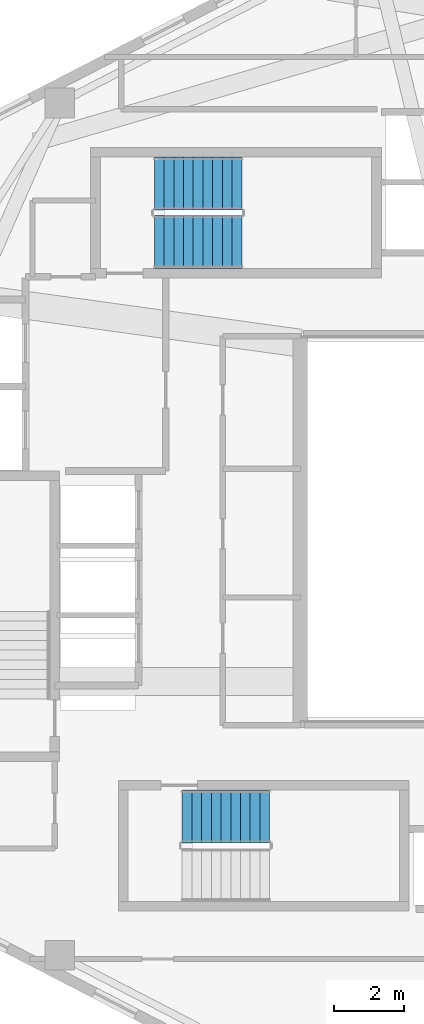
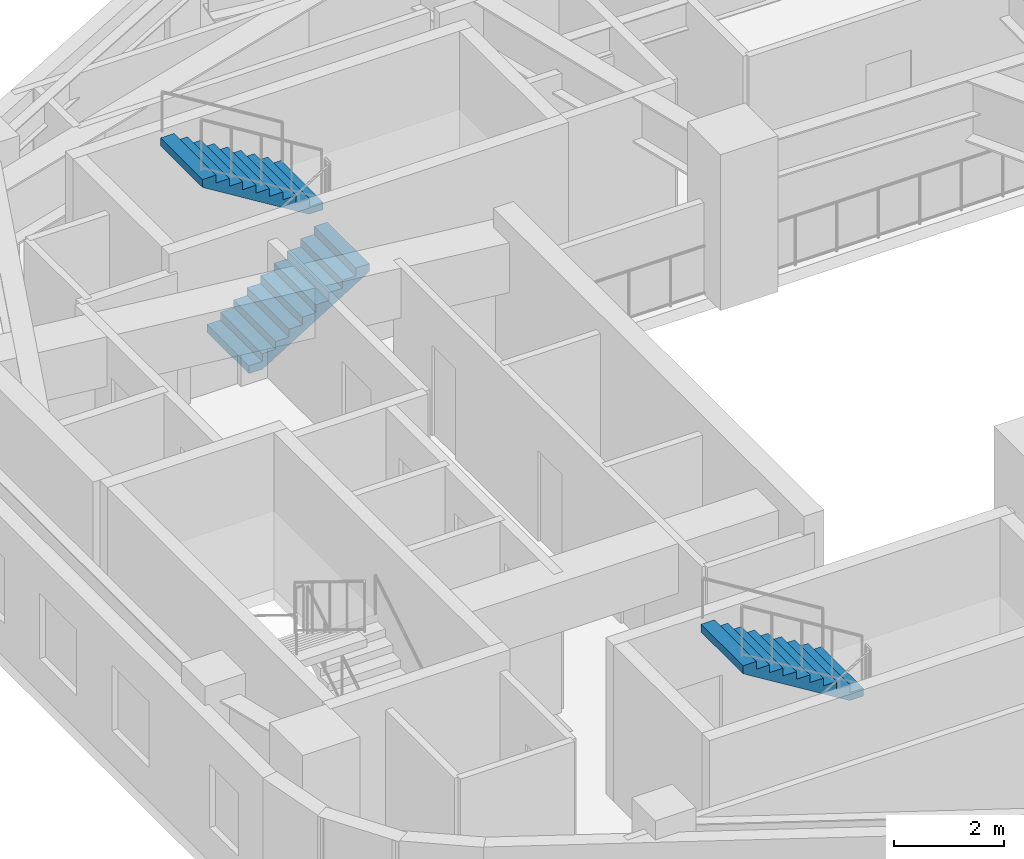
# One storey, part 6 of 7: 3 stair flights, 2 elements without a shape of their own.
"""IFC4 building model written with IfcOpenShell, lengths in metres."""

from ifc_helpers import new_model, si_unit, direction, frame, origin, place, context, subcontext, project, spatial, polyline, outline, extrude, material, type_object, element, aggregate, save


model = new_model("IFC4")

# Units and contexts
model_context = context("Model", 3, precision=1e-05, world=origin(), true_north=direction((0.0, 1.0)))
body_context = subcontext(model_context, "Body", "Model", "MODEL_VIEW")
ifc_project = project(units=[si_unit("LENGTHUNIT", "METRE"), si_unit("AREAUNIT", "SQUARE_METRE"), si_unit("VOLUMEUNIT", "CUBIC_METRE"), si_unit("PLANEANGLEUNIT", "RADIAN"), si_unit("MASSUNIT", "GRAM", prefix="KILO"), si_unit("THERMODYNAMICTEMPERATUREUNIT", "KELVIN"), si_unit("POWERUNIT", "WATT")], contexts=[model_context])

# Site, building, storey
site_placement = place(None, origin())
site = spatial("IfcSite", under=ifc_project, at=site_placement, CompositionType="ELEMENT")
building_placement = place(site_placement, origin())
building = spatial("IfcBuilding", under=site, at=building_placement, Name="Skarre Station Tower", CompositionType="ELEMENT")
storey_placement = place(building_placement, frame((0.0, 0.0, 217.14990234375)))
storey = spatial("IfcBuildingStorey", under=building, at=storey_placement, Name="L59", CompositionType="ELEMENT", Elevation=217.14990234375)

# Stair, stair flight
ifc_material = material(Name="Concrete C40/50", Category="concrete")
stair_type_1 = type_object("IfcStairType", Name="Reinforced Concrete Exit Stair ST-2", PredefinedType="HALF_TURN_STAIR", material=ifc_material)
stair_1_placement = place(storey_placement, origin())
stair_1 = element("IfcStair", 1, at=stair_1_placement, inside=storey, type_object=stair_type_1, Name="L59 Core Exit Stair ST-2", PredefinedType="HALF_TURN_STAIR")
stair_flight_type_1 = type_object("IfcStairFlightType", Name="Reinforced Concrete Stair Flight ST-2", PredefinedType="STRAIGHT", material=ifc_material)
stair_flight_1_placement = place(storey_placement, frame((26.669921875, 15.739990234375, 1.72509765625), z_axis=(0.0, 0.0, 1.0), x_axis=(-1.0, 0.0, 0.0)))
stair_flight_1 = element("IfcStairFlight", 2, at=stair_flight_1_placement, type_object=stair_flight_type_1, Name="ST-2 flight 2", NumberOfRisers=10, NumberOfTreads=9, PredefinedType="STRAIGHT", RiserHeight=0.1725, TreadLength=0.28, context=body_context, shape_type="SweptSolid", body=[
    extrude(outline(polyline([(0.0, 0.0), (0.0, 0.172607421875), (0.280029296875, 0.172607421875), (0.280029296875, 0.344970703125), (0.56005859375, 0.344970703125), (0.56005859375, 0.517578125), (0.840087890625, 0.517578125), (0.840087890625, 0.68994140625), (1.1201171875, 0.68994140625), (1.1201171875, 0.862548828125), (1.39990234375, 0.862548828125), (1.39990234375, 1.034912109375), (1.679931640625, 1.034912109375), (1.679931640625, 1.20751953125), (1.9599609375, 1.20751953125), (1.9599609375, 1.3798828125), (2.239990234375, 1.3798828125), (2.239990234375, 1.552490234375), (2.52001953125, 1.552490234375), (2.52001953125, 1.72509765625), (2.52001953125, 1.37646484375), (0.285888671875, 0.0), (0.0, 0.0)])), frame((0.0, 0.760009765625, 0.0), z_axis=(0.0, -1.0, 0.0), x_axis=(1.0, 0.0, 0.0)), (0.0, 0.0, 1.0), 1.52001953125),
])
aggregate(stair_1, [stair_flight_1])

# Stair, stair flights
stair_type_2 = type_object("IfcStairType", Name="Reinforced Concrete Exit Stair ST-3", PredefinedType="HALF_TURN_STAIR", material=ifc_material)
stair_2_placement = place(storey_placement, origin())
stair_2 = element("IfcStair", 3, at=stair_2_placement, inside=storey, type_object=stair_type_2, Name="L59 Core Exit Stair ST-3", PredefinedType="HALF_TURN_STAIR")
stair_flight_type_2 = type_object("IfcStairFlightType", Name="Reinforced Concrete Stair Flight ST-3", PredefinedType="STRAIGHT", material=ifc_material)
stair_flight_2_placement = place(storey_placement, frame((23.35009765625, 32.260009765625, 0.0), z_axis=(0.0, 0.0, 1.0), x_axis=(1.0, 0.0, 0.0)))
stair_flight_2 = element("IfcStairFlight", 4, at=stair_flight_2_placement, type_object=stair_flight_type_2, Name="ST-3 flight 1", NumberOfRisers=10, NumberOfTreads=9, PredefinedType="STRAIGHT", RiserHeight=0.1725, TreadLength=0.28, context=body_context, shape_type="SweptSolid", body=[
    extrude(outline(polyline([(0.0, 0.0), (0.0, 0.172607421875), (0.280029296875, 0.172607421875), (0.280029296875, 0.344970703125), (0.56005859375, 0.344970703125), (0.56005859375, 0.517578125), (0.840087890625, 0.517578125), (0.840087890625, 0.68994140625), (1.1201171875, 0.68994140625), (1.1201171875, 0.862548828125), (1.39990234375, 0.862548828125), (1.39990234375, 1.034912109375), (1.679931640625, 1.034912109375), (1.679931640625, 1.20751953125), (1.9599609375, 1.20751953125), (1.9599609375, 1.3798828125), (2.239990234375, 1.3798828125), (2.239990234375, 1.552490234375), (2.52001953125, 1.552490234375), (2.52001953125, 1.72509765625), (2.52001953125, 1.37646484375), (0.285888671875, 0.0), (0.0, 0.0)])), frame((0.0, 0.760009765625, 0.0), z_axis=(0.0, -1.0, 0.0), x_axis=(1.0, 0.0, 0.0)), (0.0, 0.0, 1.0), 1.52001953125),
])
stair_flight_3_placement = place(storey_placement, frame((25.8701171875, 33.93994140625, 1.72509765625), z_axis=(0.0, 0.0, 1.0), x_axis=(-1.0, 0.0, 0.0)))
stair_flight_3 = element("IfcStairFlight", 5, at=stair_flight_3_placement, type_object=stair_flight_type_2, Name="ST-3 flight 2", NumberOfRisers=10, NumberOfTreads=9, PredefinedType="STRAIGHT", RiserHeight=0.1725, TreadLength=0.28, context=body_context, shape_type="SweptSolid", body=[
    extrude(outline(polyline([(0.0, 0.0), (0.0, 0.172607421875), (0.280029296875, 0.172607421875), (0.280029296875, 0.344970703125), (0.56005859375, 0.344970703125), (0.56005859375, 0.517578125), (0.840087890625, 0.517578125), (0.840087890625, 0.68994140625), (1.1201171875, 0.68994140625), (1.1201171875, 0.862548828125), (1.39990234375, 0.862548828125), (1.39990234375, 1.034912109375), (1.679931640625, 1.034912109375), (1.679931640625, 1.20751953125), (1.9599609375, 1.20751953125), (1.9599609375, 1.3798828125), (2.239990234375, 1.3798828125), (2.239990234375, 1.552490234375), (2.52001953125, 1.552490234375), (2.52001953125, 1.72509765625), (2.52001953125, 1.37646484375), (0.285888671875, 0.0), (0.0, 0.0)])), frame((0.0, 0.760009765625, 0.0), z_axis=(0.0, -1.0, 0.0), x_axis=(1.0, 0.0, 0.0)), (0.0, 0.0, 1.0), 1.52001953125),
])
aggregate(stair_2, [stair_flight_2, stair_flight_3])

save(model, "model.ifc")
